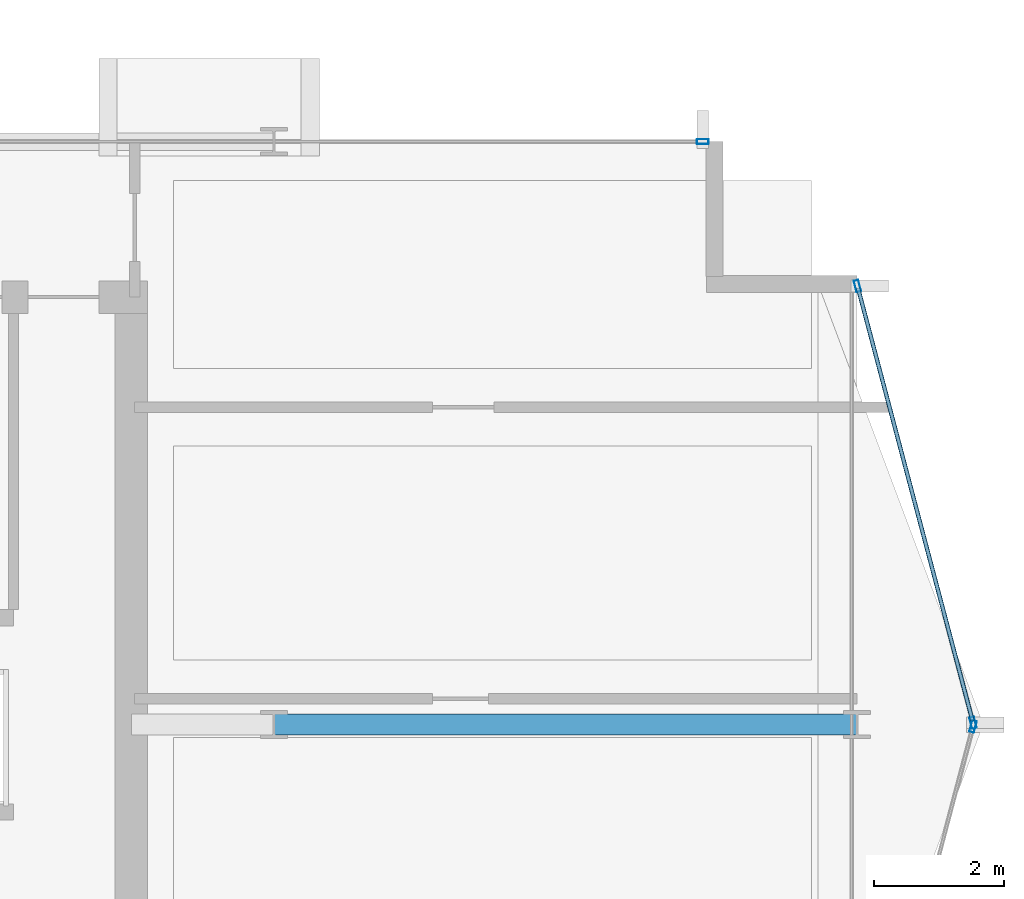
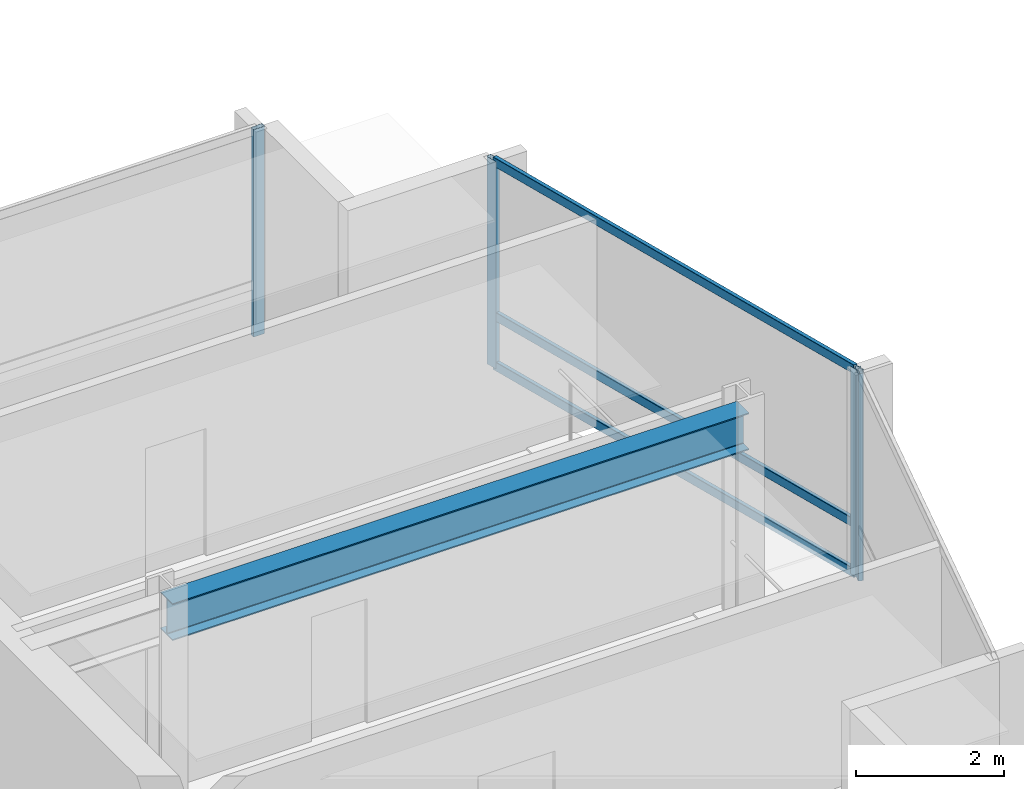
# One storey, part 14 of 29: 7 members, 1 beam, 3 elements without a shape of their own.
"""IFC4 building model written with IfcOpenShell, lengths in metres."""

from ifc_helpers import new_model, si_unit, direction, frame, origin, origin_2d, place, context, subcontext, project, spatial, hollow_rectangle, i_section, extrude, material, layer, layer_set, material_profile, profile_set, type_object, element, aggregate, save


model = new_model("IFC4")

# Units and contexts
model_context = context("Model", 3, precision=1e-05, world=origin(), true_north=direction((0.0, 1.0)))
body_context = subcontext(model_context, "Body", "Model", "MODEL_VIEW")
ifc_project = project(units=[si_unit("LENGTHUNIT", "METRE"), si_unit("AREAUNIT", "SQUARE_METRE"), si_unit("VOLUMEUNIT", "CUBIC_METRE"), si_unit("PLANEANGLEUNIT", "RADIAN"), si_unit("MASSUNIT", "GRAM", prefix="KILO")], contexts=[model_context])

# Site, building, storey
site_placement = place(None, origin())
site = spatial("IfcSite", under=ifc_project, at=site_placement, CompositionType="ELEMENT")
building_placement = place(site_placement, origin())
building = spatial("IfcBuilding", under=site, at=building_placement, Name="Solvaryn Broadcast Tower", CompositionType="ELEMENT")
storey_placement = place(building_placement, frame((0.0, 0.0, 147.0)))
storey = spatial("IfcBuildingStorey", under=building, at=storey_placement, Name="L36", CompositionType="ELEMENT", Elevation=147.0)

# Beam
ifc_material_1 = material(Name="Steel ASTM A992 Grade 50", Category="steel")
ifc_material_profile_1 = material_profile(ifc_material_1, i_section(OverallWidth=0.323974609375, OverallDepth=0.611083984375, WebThickness=0.0126953125, FlangeThickness=0.01904296875, FilletRadius=0.014892578125, at=origin_2d()))
ifc_profile_set_1 = profile_set([ifc_material_profile_1], Name="Steel ASTM A992 Grade 50")
beam_type = type_object("IfcBeamType", Name="BM-B1-W24X104", PredefinedType="BEAM", material=ifc_profile_set_1)
beam_placement = place(storey_placement, frame((45.0, 18.0, 3.114501953125), z_axis=(1.0, 0.0, 0.0), x_axis=(0.0, 1.0, 0.0)))
element("IfcBeam", 1, at=beam_placement, inside=storey, type_object=beam_type, Name="L36 Primary Beam X (45-54 @ Y=18)", PredefinedType="BEAM", context=body_context, shape_type="SweptSolid", body=[
    extrude(i_section(OverallWidth=0.323974609375, OverallDepth=0.611083984375, WebThickness=0.0126953125, FlangeThickness=0.01904296875, FilletRadius=0.014892578125, at=origin_2d()), origin(), (0.0, 0.0, 1.0), 9.0),
])

# Curtain wall, members
ifc_material_2 = material(Name="Aluminium and Terracotta Unitised Curtain Wall", Category="masonry")
ifc_layer = layer(ifc_material_2, 0.199951171875)
ifc_layer_set = layer_set([ifc_layer], Name="CW-SYS2-LOWMID")
curtain_wall_type = type_object("IfcCurtainWallType", Name="CW-SYS2-LOWMID", PredefinedType="NOTDEFINED", material=ifc_layer_set)
curtain_wall_1_placement = place(storey_placement, origin())
curtain_wall_1 = element("IfcCurtainWall", 2, at=curtain_wall_1_placement, inside=storey, type_object=curtain_wall_type, Name="L36 Curtain Wall ET1", PredefinedType="NOTDEFINED")
ifc_material_3 = material(Name="Anodised Aluminium 6063-T6", Category="aluminium")
ifc_material_profile_2 = material_profile(ifc_material_3, hollow_rectangle(XDim=0.074951171875, YDim=0.179931640625, WallThickness=0.00390625, InnerFilletRadius=0.00390625, OuterFilletRadius=0.008056640625, at=origin_2d()))
ifc_profile_set_2 = profile_set([ifc_material_profile_2], Name="Anodised Aluminium 6063-T6")
member_type_1 = type_object("IfcMemberType", Name="CW-MUL-180", PredefinedType="MULLION", material=ifc_profile_set_2)
member_1_placement = place(storey_placement, frame((54.007568359375, 24.77099609375, 0.0), z_axis=(0.0, 0.0, 1.0), x_axis=(0.966705227863, 0.25589256031, 0.0)))
member_1 = element("IfcMember", 3, at=member_1_placement, type_object=member_type_1, Name="CWS2 mullion 1", PredefinedType="MULLION", context=body_context, shape_type="SweptSolid", body=[
    extrude(hollow_rectangle(XDim=0.074951171875, YDim=0.179931640625, WallThickness=0.00390625, InnerFilletRadius=0.00390625, OuterFilletRadius=0.008056640625, at=origin_2d()), origin(), (0.0, 0.0, 1.0), 3.419921875),
])
member_2_placement = place(storey_placement, frame((55.792236328125, 18.029052734375, 0.0), z_axis=(0.0, 0.0, 1.0), x_axis=(0.966705227863, 0.25589256031, 0.0)))
member_2 = element("IfcMember", 4, at=member_2_placement, type_object=member_type_1, Name="CWS2 mullion 2", PredefinedType="MULLION", context=body_context, shape_type="SweptSolid", body=[
    extrude(hollow_rectangle(XDim=0.074951171875, YDim=0.179931640625, WallThickness=0.00390625, InnerFilletRadius=0.00390625, OuterFilletRadius=0.008056640625, at=origin_2d()), origin(), (0.0, 0.0, 1.0), 3.419921875),
])

# Curtain wall, member
curtain_wall_2_placement = place(storey_placement, origin())
curtain_wall_2 = element("IfcCurtainWall", 5, at=curtain_wall_2_placement, inside=storey, type_object=curtain_wall_type, Name="L36 Curtain Wall ET2", PredefinedType="NOTDEFINED")
member_3_placement = place(storey_placement, frame((55.792236328125, 17.970947265625, 0.0), z_axis=(0.0, 0.0, 1.0), x_axis=(0.966705227863, -0.25589256031, 0.0)))
member_3 = element("IfcMember", 6, at=member_3_placement, type_object=member_type_1, Name="CWS2 mullion 1", PredefinedType="MULLION", context=body_context, shape_type="SweptSolid", body=[
    extrude(hollow_rectangle(XDim=0.074951171875, YDim=0.179931640625, WallThickness=0.00390625, InnerFilletRadius=0.00390625, OuterFilletRadius=0.008056640625, at=origin_2d()), origin(), (0.0, 0.0, 1.0), 3.419921875),
])
aggregate(curtain_wall_2, [member_3])

curtain_wall_3_placement = place(storey_placement, origin())
curtain_wall_3 = element("IfcCurtainWall", 7, at=curtain_wall_3_placement, inside=storey, type_object=curtain_wall_type, Name="L36 Curtain Wall IH", PredefinedType="NOTDEFINED")
member_4_placement = place(storey_placement, frame((51.6201171875, 27.0, 0.0), z_axis=(0.0, 0.0, 1.0), x_axis=(0.0, 1.0, 0.0)))
member_4 = element("IfcMember", 8, at=member_4_placement, type_object=member_type_1, Name="CWS2 mullion 2", PredefinedType="MULLION", context=body_context, shape_type="SweptSolid", body=[
    extrude(hollow_rectangle(XDim=0.074951171875, YDim=0.179931640625, WallThickness=0.00390625, InnerFilletRadius=0.00390625, OuterFilletRadius=0.008056640625, at=origin_2d()), origin(), (0.0, 0.0, 1.0), 3.419921875),
])
aggregate(curtain_wall_3, [member_4])

# Member
ifc_material_4 = material(Name="Anodised Aluminium 6063-T6", Category="aluminium")
ifc_material_profile_3 = material_profile(ifc_material_4, hollow_rectangle(XDim=0.06494140625, YDim=0.14990234375, WallThickness=0.00390625, InnerFilletRadius=0.00390625, OuterFilletRadius=0.008056640625, at=origin_2d()))
ifc_profile_set_3 = profile_set([ifc_material_profile_3], Name="Anodised Aluminium 6063-T6")
member_type_2 = type_object("IfcMemberType", Name="CW-TRN-150", PredefinedType="USERDEFINED", material=ifc_profile_set_3)
member_5_placement = place(storey_placement, frame((54.015380859375, 24.741943359375, 0.030029296875), z_axis=(0.255897413051, -0.966703943301, 0.0), x_axis=(0.966703943301, 0.255897413051, 0.0)))
member_5 = element("IfcMember", 9, at=member_5_placement, type_object=member_type_2, Name="CWS2 transom 1.1", ObjectType="TRANSOM", PredefinedType="USERDEFINED", context=body_context, shape_type="SweptSolid", body=[
    extrude(hollow_rectangle(XDim=0.06494140625, YDim=0.14990234375, WallThickness=0.00390625, InnerFilletRadius=0.00390625, OuterFilletRadius=0.008056640625, at=origin_2d()), origin(), (0.0, 0.0, 1.0), 6.9140625),
])

member_6_placement = place(storey_placement, frame((54.015380859375, 24.741943359375, 0.85009765625), z_axis=(0.255897413051, -0.966703943301, 0.0), x_axis=(0.966703943301, 0.255897413051, 0.0)))
member_6 = element("IfcMember", 10, at=member_6_placement, type_object=member_type_2, Name="CWS2 transom 1.2", ObjectType="TRANSOM", PredefinedType="USERDEFINED", context=body_context, shape_type="SweptSolid", body=[
    extrude(hollow_rectangle(XDim=0.06494140625, YDim=0.14990234375, WallThickness=0.00390625, InnerFilletRadius=0.00390625, OuterFilletRadius=0.008056640625, at=origin_2d()), origin(), (0.0, 0.0, 1.0), 6.9140625),
])

member_7_placement = place(storey_placement, frame((54.015380859375, 24.741943359375, 3.389892578125), z_axis=(0.255897413051, -0.966703943301, 0.0), x_axis=(0.966703943301, 0.255897413051, 0.0)))
member_7 = element("IfcMember", 11, at=member_7_placement, type_object=member_type_2, Name="CWS2 transom 1.3", ObjectType="TRANSOM", PredefinedType="USERDEFINED", context=body_context, shape_type="SweptSolid", body=[
    extrude(hollow_rectangle(XDim=0.06494140625, YDim=0.14990234375, WallThickness=0.00390625, InnerFilletRadius=0.00390625, OuterFilletRadius=0.008056640625, at=origin_2d()), origin(), (0.0, 0.0, 1.0), 6.9140625),
])

aggregate(curtain_wall_1, [member_1, member_2, member_5, member_6, member_7])

save(model, "model.ifc")
